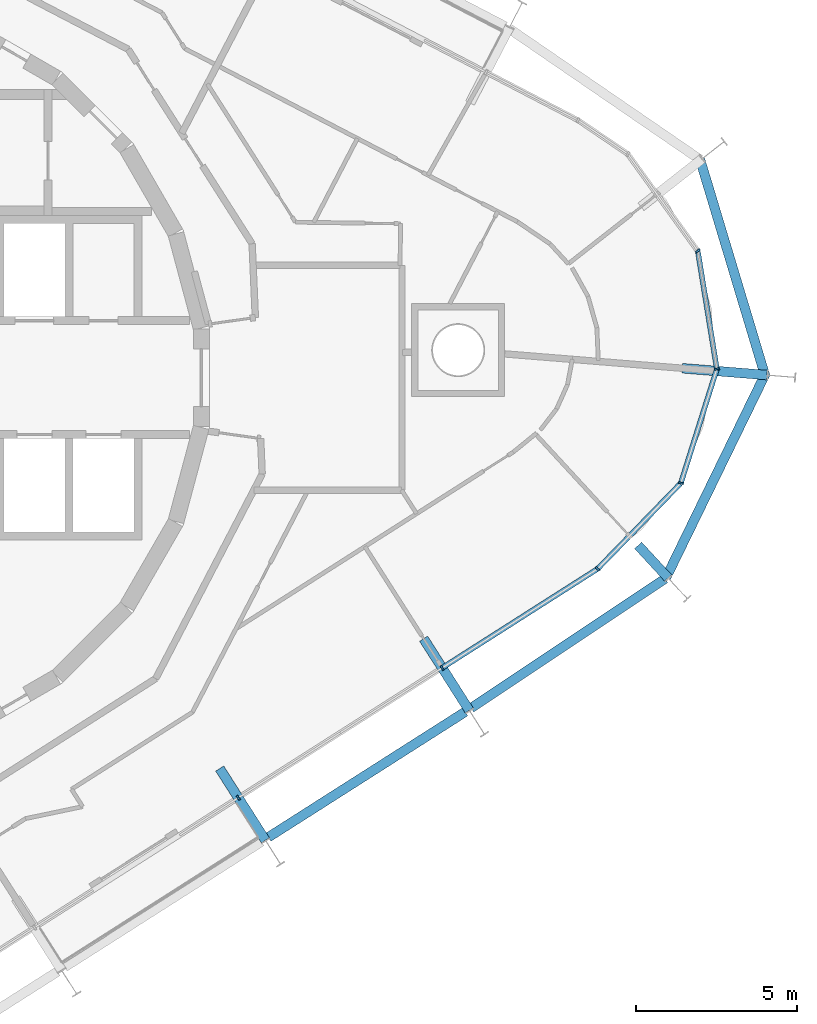
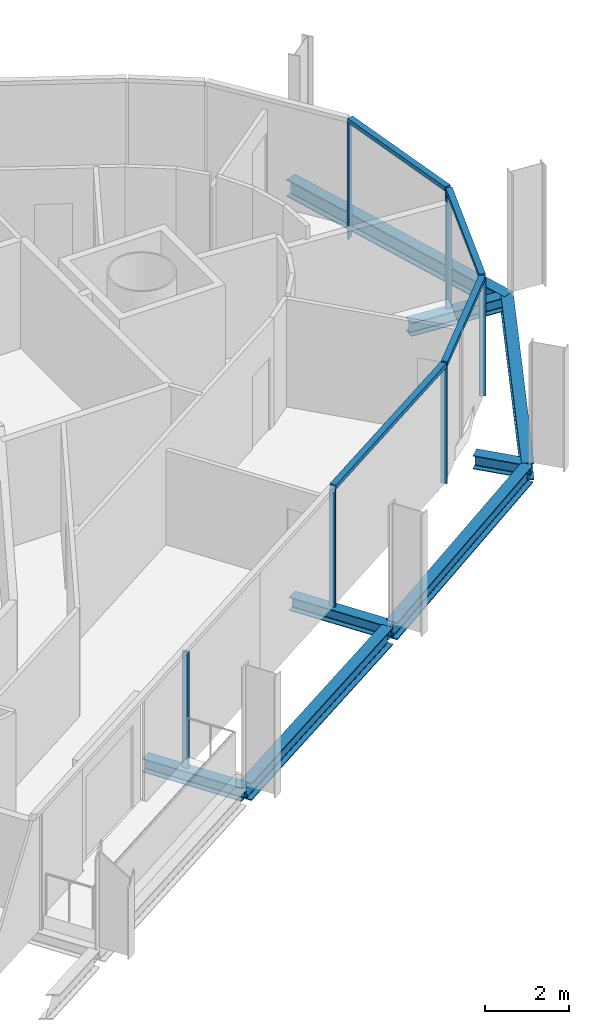
# One storey, part 5 of 17: 10 members, 8 beams, 2 elements without a shape of their own.
"""IFC4 building model written with IfcOpenShell, lengths in metres."""

from ifc_helpers import new_model, si_unit, direction, frame, origin, origin_2d, place, context, subcontext, project, spatial, rectangle, i_section, extrude, material, layer, layer_set, material_profile, profile_set, type_object, element, aggregate, save


model = new_model("IFC4")

# Units and contexts
model_context = context("Model", 3, precision=1e-05, world=origin(), true_north=direction((0.0, 1.0)))
body_context = subcontext(model_context, "Body", "Model", "MODEL_VIEW")
ifc_project = project(units=[si_unit("LENGTHUNIT", "METRE"), si_unit("AREAUNIT", "SQUARE_METRE"), si_unit("VOLUMEUNIT", "CUBIC_METRE"), si_unit("PLANEANGLEUNIT", "RADIAN"), si_unit("MASSUNIT", "GRAM", prefix="KILO")], contexts=[model_context])

# Site, building, storey
site_placement = place(None, origin())
site = spatial("IfcSite", under=ifc_project, at=site_placement, CompositionType="ELEMENT")
building_placement = place(site_placement, origin())
building = spatial("IfcBuilding", under=site, at=building_placement, Name="Spindle Arch Residences", CompositionType="ELEMENT")
storey_placement = place(building_placement, frame((0.0, 0.0, 237.199951171875)))
storey = spatial("IfcBuildingStorey", under=building, at=storey_placement, Name="L60", CompositionType="ELEMENT", Elevation=237.199951171875)

# Curtain wall, members
ifc_material_1 = material(Name="Aluminium bronze unitised frame with tinted glass", Category="aluminium")
ifc_layer_1 = layer(ifc_material_1, 0.159912109375)
ifc_layer_set_1 = layer_set([ifc_layer_1], Name="CW-D corner wall on the fillet arcs")
curtain_wall_type_1 = type_object("IfcCurtainWallType", Name="CW-D corner wall on the fillet arcs", PredefinedType="NOTDEFINED", material=ifc_layer_set_1)
curtain_wall_1_placement = place(storey_placement, origin())
curtain_wall_1 = element("IfcCurtainWall", 1, at=curtain_wall_1_placement, inside=storey, type_object=curtain_wall_type_1, Name="CW-D L60 run 1", PredefinedType="NOTDEFINED")
ifc_material_2 = material(Name="Aluminium bronze anodised mullion", Category="aluminium")
ifc_material_profile_1 = material_profile(ifc_material_2, rectangle(XDim=0.159912109375, YDim=0.06005859375, at=origin_2d()), Name="MU 60x160")
ifc_profile_set_1 = profile_set([ifc_material_profile_1], Name="Aluminium bronze anodised mullion")
member_type_1 = type_object("IfcMemberType", Name="Bronze mullion 60x160", PredefinedType="MULLION", material=ifc_profile_set_1)
member_1_placement = place(storey_placement, frame((19.151611328125, -9.0400390625, -0.3798828125), z_axis=(0.0, 0.0, 1.0), x_axis=(-0.537299608347, 0.843391445813, 0.0)))
member_1 = element("IfcMember", 2, at=member_1_placement, type_object=member_type_1, Name="CW-D mullion 00", PredefinedType="MULLION", context=body_context, shape_type="SweptSolid", body=[
    extrude(rectangle(XDim=0.159912109375, YDim=0.06005859375, at=origin_2d()), origin(), (0.0, 0.0, 1.0), 3.3798828125),
])
member_2_placement = place(storey_placement, frame((23.991455078125, -5.956787109375, -0.3798828125), z_axis=(0.0, 0.0, 1.0), x_axis=(-0.71731607908, 0.696747904692, 0.0)))
member_2 = element("IfcMember", 3, at=member_2_placement, type_object=member_type_1, Name="CW-D mullion 01", PredefinedType="MULLION", context=body_context, shape_type="SweptSolid", body=[
    extrude(rectangle(XDim=0.159912109375, YDim=0.06005859375, at=origin_2d()), origin(), (0.0, 0.0, 1.0), 3.3798828125),
])
member_3_placement = place(storey_placement, frame((26.587890625, -3.283447265625, -0.3798828125), z_axis=(0.0, 0.0, 1.0), x_axis=(-0.953716949352, 0.300705803932, 0.0)))
member_3 = element("IfcMember", 4, at=member_3_placement, type_object=member_type_1, Name="CW-D mullion 02", PredefinedType="MULLION", context=body_context, shape_type="SweptSolid", body=[
    extrude(rectangle(XDim=0.159912109375, YDim=0.06005859375, at=origin_2d()), origin(), (0.0, 0.0, 1.0), 3.3798828125),
])
member_4_placement = place(storey_placement, frame((27.708740234375, 0.270751953125, -0.3798828125), z_axis=(0.0, 0.0, 1.0), x_axis=(-0.987229114298, -0.15930686075, 0.0)))
member_4 = element("IfcMember", 5, at=member_4_placement, type_object=member_type_1, Name="CW-D mullion 03", PredefinedType="MULLION", context=body_context, shape_type="SweptSolid", body=[
    extrude(rectangle(XDim=0.159912109375, YDim=0.06005859375, at=origin_2d()), origin(), (0.0, 0.0, 1.0), 3.3798828125),
])
member_5_placement = place(storey_placement, frame((27.114990234375, 3.949951171875, -0.3798828125), z_axis=(0.0, 0.0, 1.0), x_axis=(-0.810723368962, -0.585429431289, 0.0)))
member_5 = element("IfcMember", 6, at=member_5_placement, type_object=member_type_1, Name="CW-D mullion 04", PredefinedType="MULLION", context=body_context, shape_type="SweptSolid", body=[
    extrude(rectangle(XDim=0.159912109375, YDim=0.06005859375, at=origin_2d()), origin(), (0.0, 0.0, 1.0), 3.3798828125),
])

# Curtain wall, member
ifc_material_3 = material(Name="Aluminium bronze unitised frame with tinted glass", Category="aluminium")
ifc_layer_2 = layer(ifc_material_3, 0.159912109375)
ifc_layer_set_2 = layer_set([ifc_layer_2], Name="CW-C typical residential unitised wall")
curtain_wall_type_2 = type_object("IfcCurtainWallType", Name="CW-C typical residential unitised wall", PredefinedType="NOTDEFINED", material=ifc_layer_set_2)
curtain_wall_2_placement = place(storey_placement, origin())
curtain_wall_2 = element("IfcCurtainWall", 7, at=curtain_wall_2_placement, inside=storey, type_object=curtain_wall_type_2, Name="CW-C L60 run 6", PredefinedType="NOTDEFINED")
member_6_placement = place(storey_placement, frame((12.80078125, -13.0859375, -0.3798828125), z_axis=(0.0, 0.0, 1.0), x_axis=(-0.537299608347, 0.843391445813, 0.0)))
member_6 = element("IfcMember", 8, at=member_6_placement, type_object=member_type_1, Name="CW-C mullion 00", PredefinedType="MULLION", context=body_context, shape_type="SweptSolid", body=[
    extrude(rectangle(XDim=0.159912109375, YDim=0.06005859375, at=origin_2d()), origin(), (0.0, 0.0, 1.0), 3.3798828125),
])
aggregate(curtain_wall_2, [member_6])

# Member
ifc_material_4 = material(Name="Aluminium bronze anodised transom", Category="aluminium")
ifc_material_profile_2 = material_profile(ifc_material_4, rectangle(XDim=0.159912109375, YDim=0.1201171875, at=origin_2d()), Name="TR 120x160")
ifc_profile_set_2 = profile_set([ifc_material_profile_2], Name="Aluminium bronze anodised transom")
member_type_2 = type_object("IfcMemberType", Name="Bronze transom 120x160", PredefinedType="USERDEFINED", material=ifc_profile_set_2)
member_7_placement = place(storey_placement, frame((19.177001953125, -9.02392578125, 3.06005859375), z_axis=(0.843386969226, 0.537306635115, 0.0), x_axis=(-0.537306635115, 0.843386969226, 0.0)))
member_7 = element("IfcMember", 9, at=member_7_placement, type_object=member_type_2, Name="CW-D transom 00", ObjectType="TRANSOM", PredefinedType="USERDEFINED", context=body_context, shape_type="SweptSolid", body=[
    extrude(rectangle(XDim=0.159912109375, YDim=0.1201171875, at=origin_2d()), origin(), (0.0, 0.0, 1.0), 5.678466796875),
])

member_8_placement = place(storey_placement, frame((24.01220703125, -5.93505859375, 3.06005859375), z_axis=(0.696778833098, 0.717286036213, 0.0), x_axis=(-0.717286036213, 0.696778833098, 0.0)))
member_8 = element("IfcMember", 10, at=member_8_placement, type_object=member_type_2, Name="CW-D transom 01", ObjectType="TRANSOM", PredefinedType="USERDEFINED", context=body_context, shape_type="SweptSolid", body=[
    extrude(rectangle(XDim=0.159912109375, YDim=0.1201171875, at=origin_2d()), origin(), (0.0, 0.0, 1.0), 3.666748046875),
])

member_9_placement = place(storey_placement, frame((26.596923828125, -3.2548828125, 3.06005859375), z_axis=(0.300745778047, 0.953704344641, 0.0), x_axis=(-0.953704344641, 0.300745778047, 0.0)))
member_9 = element("IfcMember", 11, at=member_9_placement, type_object=member_type_2, Name="CW-D transom 02", ObjectType="TRANSOM", PredefinedType="USERDEFINED", context=body_context, shape_type="SweptSolid", body=[
    extrude(rectangle(XDim=0.159912109375, YDim=0.1201171875, at=origin_2d()), origin(), (0.0, 0.0, 1.0), 3.666748046875),
])

member_10_placement = place(storey_placement, frame((27.703857421875, 0.300537109375, 3.06005859375), z_axis=(-0.15933292013, 0.987224908804, 0.0), x_axis=(-0.987224908804, -0.15933292013, 0.0)))
member_10 = element("IfcMember", 12, at=member_10_placement, type_object=member_type_2, Name="CW-D transom 03", ObjectType="TRANSOM", PredefinedType="USERDEFINED", context=body_context, shape_type="SweptSolid", body=[
    extrude(rectangle(XDim=0.159912109375, YDim=0.1201171875, at=origin_2d()), origin(), (0.0, 0.0, 1.0), 3.666748046875),
])

aggregate(curtain_wall_1, [member_1, member_7, member_2, member_8, member_3, member_9, member_4, member_10, member_5])

# Beams
ifc_material_5 = material(Name="Steel S460ML, intumescent coating R 120", Category="steel")
ifc_material_profile_3 = material_profile(ifc_material_5, i_section(OverallWidth=0.300048828125, OverallDepth=0.5, WebThickness=0.014404296875, FlangeThickness=0.028076171875, FilletRadius=0.027099609375, at=origin_2d()), Name="HEB 500")
ifc_profile_set_3 = profile_set([ifc_material_profile_3], Name="Steel S460ML, intumescent coating R 120")
beam_type_1 = type_object("IfcBeamType", Name="Exoskeleton edge beam HEB 500", PredefinedType="BEAM", material=ifc_profile_set_3)
beam_1_placement = place(storey_placement, frame((13.73779296875, -14.314697265625, -0.6298828125), z_axis=(0.843406961456, 0.53727525289, 0.0), x_axis=(-0.53727525289, 0.843406961456, 0.0)))
element("IfcBeam", 13, at=beam_1_placement, inside=storey, type_object=beam_type_1, Name="Exoskeleton edge beam 1", PredefinedType="BEAM", context=body_context, shape_type="SweptSolid", body=[
    extrude(i_section(OverallWidth=0.300048828125, OverallDepth=0.5, WebThickness=0.014404296875, FlangeThickness=0.028076171875, FilletRadius=0.027099609375, at=origin_2d()), origin(), (0.0, 0.0, 1.0), 7.27001953125),
])
beam_2_placement = place(storey_placement, frame((20.05224609375, -10.291015625, -0.6298828125), z_axis=(0.83190027786, 0.554925155041, 0.0), x_axis=(-0.554925155041, 0.83190027786, 0.0)))
element("IfcBeam", 14, at=beam_2_placement, inside=storey, type_object=beam_type_1, Name="Exoskeleton edge beam 2", PredefinedType="BEAM", context=body_context, shape_type="SweptSolid", body=[
    extrude(i_section(OverallWidth=0.300048828125, OverallDepth=0.5, WebThickness=0.014404296875, FlangeThickness=0.028076171875, FilletRadius=0.027099609375, at=origin_2d()), origin(), (0.0, 0.0, 1.0), 7.26220703125),
])
for number, where, z_axis, x_axis, name in (
    (15, (26.1201171875, -6.241943359375, -0.6298828125), (0.43802573961, 0.898962430494, 0.0), (-0.898962430494, 0.43802573961, 0.0), "Exoskeleton edge beam 3"),
    (16, (29.22021484375, 0.03076171875, -0.6298828125), (-0.288038985398, 0.957618683449, 0.0), (-0.957618683449, -0.288038985398, 0.0), "Exoskeleton edge beam 4"),
):
    element("IfcBeam", number, at=place(storey_placement, frame(where, z_axis=z_axis, x_axis=x_axis)), inside=storey, type_object=beam_type_1, Name=name, PredefinedType="BEAM", context=body_context, shape_type="SweptSolid", body=[
        extrude(i_section(OverallWidth=0.300048828125, OverallDepth=0.5, WebThickness=0.014404296875, FlangeThickness=0.028076171875, FilletRadius=0.027099609375, at=origin_2d()), origin(), (0.0, 0.0, 1.0), 7.096923828125),
    ])
ifc_material_6 = material(Name="Steel S460ML, intumescent coating R 120", Category="steel")
ifc_material_profile_4 = material_profile(ifc_material_6, i_section(OverallWidth=0.300048828125, OverallDepth=0.389892578125, WebThickness=0.010986328125, FlangeThickness=0.01904296875, FilletRadius=0.027099609375, at=origin_2d()), Name="HEA 400")
ifc_profile_set_4 = profile_set([ifc_material_profile_4], Name="Steel S460ML, intumescent coating R 120")
beam_type_2 = type_object("IfcBeamType", Name="Floor outrigger HEA 400", PredefinedType="BEAM", material=ifc_profile_set_4)
for number, where, z_axis, x_axis, name in (
    (17, (13.644287109375, -14.409912109375, -0.574951171875), (-0.537316570745, 0.843380639334, 0.0), (-0.843380639334, -0.537316570745, 0.0), "Floor outrigger 1"),
    (18, (19.9951171875, -10.364013671875, -0.574951171875), (-0.537316570745, 0.843380639334, 0.0), (-0.843380639334, -0.537316570745, 0.0), "Floor outrigger 2"),
):
    element("IfcBeam", number, at=place(storey_placement, frame(where, z_axis=z_axis, x_axis=x_axis)), inside=storey, type_object=beam_type_2, Name=name, PredefinedType="BEAM", context=body_context, shape_type="SweptSolid", body=[
        extrude(i_section(OverallWidth=0.300048828125, OverallDepth=0.389892578125, WebThickness=0.010986328125, FlangeThickness=0.01904296875, FilletRadius=0.027099609375, at=origin_2d()), origin(), (0.0, 0.0, 1.0), 2.64990234375),
    ])
beam_3_placement = place(storey_placement, frame((26.189697265625, -6.23828125, -0.574951171875), z_axis=(-0.677647212058, 0.735387147011, 0.0), x_axis=(-0.735387147011, -0.677647212058, 0.0)))
element("IfcBeam", 19, at=beam_3_placement, inside=storey, type_object=beam_type_2, Name="Floor outrigger 3", PredefinedType="BEAM", context=body_context, shape_type="SweptSolid", body=[
    extrude(i_section(OverallWidth=0.300048828125, OverallDepth=0.389892578125, WebThickness=0.010986328125, FlangeThickness=0.01904296875, FilletRadius=0.027099609375, at=origin_2d()), origin(), (0.0, 0.0, 1.0), 1.37841796875),
])
beam_4_placement = place(storey_placement, frame((29.268798828125, 0.080810546875, -0.574951171875), z_axis=(-0.996753470089, 0.080514097307, 0.0), x_axis=(-0.080514097307, -0.996753470089, 0.0)))
element("IfcBeam", 20, at=beam_4_placement, inside=storey, type_object=beam_type_2, Name="Floor outrigger 4", PredefinedType="BEAM", context=body_context, shape_type="SweptSolid", body=[
    extrude(i_section(OverallWidth=0.300048828125, OverallDepth=0.389892578125, WebThickness=0.010986328125, FlangeThickness=0.01904296875, FilletRadius=0.027099609375, at=origin_2d()), origin(), (0.0, 0.0, 1.0), 2.650146484375),
])

save(model, "model.ifc")
